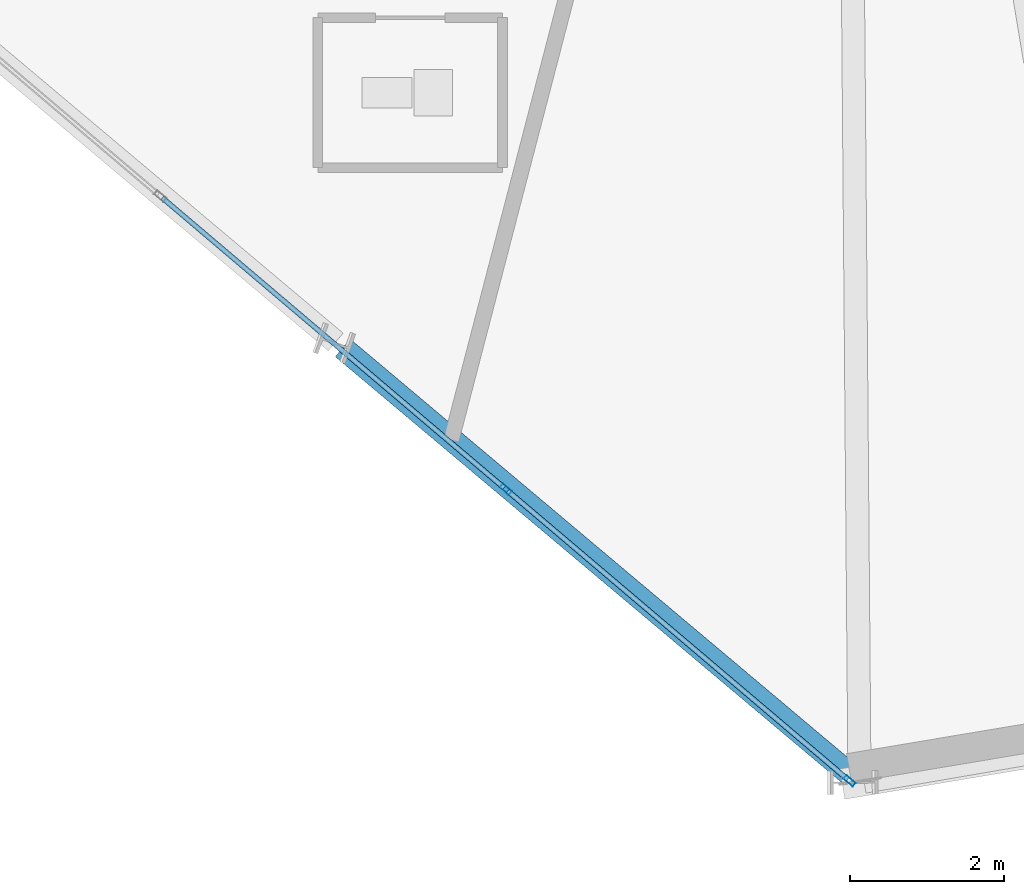
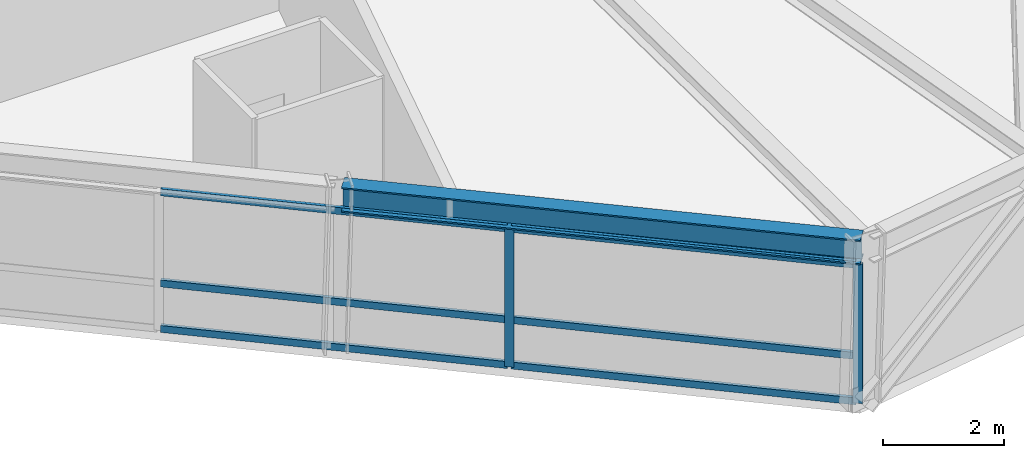
# One storey, part 3 of 15: 8 members, 1 beam, 1 element without a shape of its own.
"""IFC4 building model written with IfcOpenShell, lengths in metres."""

from ifc_helpers import new_model, si_unit, direction, frame, origin, origin_2d, place, context, subcontext, project, spatial, hollow_rectangle, i_section, extrude, source, transform, mapped, material, material_profile, profile_set, type_object, element, aggregate, save


model = new_model("IFC4")

# Units and contexts
model_context = context("Model", 3, precision=1e-05, world=origin(), true_north=direction((0.0, 1.0)))
body_context = subcontext(model_context, "Body", "Model", "MODEL_VIEW")
ifc_project = project(units=[si_unit("LENGTHUNIT", "METRE"), si_unit("AREAUNIT", "SQUARE_METRE"), si_unit("VOLUMEUNIT", "CUBIC_METRE"), si_unit("PLANEANGLEUNIT", "RADIAN"), si_unit("MASSUNIT", "GRAM", prefix="KILO")], contexts=[model_context])

# Site, building, storey
site_placement = place(None, origin())
site = spatial("IfcSite", under=ifc_project, at=site_placement, CompositionType="ELEMENT")
building_placement = place(site_placement, origin())
building = spatial("IfcBuilding", under=site, at=building_placement, Name="Olszyna Solenne Hotel", CompositionType="ELEMENT")
storey_placement = place(building_placement, frame((0.0, 0.0, 213.14990234375)))
storey = spatial("IfcBuildingStorey", under=building, at=storey_placement, Name="L56", CompositionType="ELEMENT", Elevation=213.14990234375)

# Beam
ifc_material_1 = material(Name="Steel S355J2", Category="steel")
ifc_material_profile_1 = material_profile(ifc_material_1, i_section(OverallWidth=0.300048828125, OverallDepth=0.5, WebThickness=0.014404296875, FlangeThickness=0.028076171875, at=origin_2d()), Name="HEB 500", Category="load-bearing")
ifc_profile_set_1 = profile_set([ifc_material_profile_1], Name="Steel S355J2")
beam_type = type_object("IfcBeamType", Name="BM-S3", PredefinedType="BEAM", material=ifc_profile_set_1)
shared_shape_1 = source(origin(), body_context, "Body", "SweptSolid", [
    extrude(i_section(OverallWidth=0.300048828125, OverallDepth=0.5, WebThickness=0.014404296875, FlangeThickness=0.028076171875, at=origin_2d()), origin(), (0.0, 0.0, 1.0), 8.718994140625),
])
beam_placement = place(storey_placement, frame((31.480712890625, 8.15380859375, 3.080078125), z_axis=(0.765342336812, -0.643623420552, 0.0), x_axis=(0.643623420552, 0.765342336812, 0.0)))
element("IfcBeam", 1, at=beam_placement, inside=storey, type_object=beam_type, Name="Perimeter spandrel beam BM-S3 B-L56-1657", PredefinedType="BEAM", context=body_context, shape_type="MappedRepresentation", body=[
    mapped(shared_shape_1, transform((0.0, 0.0, 0.0), x_axis=(1.0, 0.0, 0.0), y_axis=(0.0, 1.0, 0.0), z_axis=(0.0, 0.0, 1.0), scale=1.0)),
])

# Curtain wall, members
ifc_material_2 = material(Name="Anodised bronze aluminium", Category="aluminium")
curtain_wall_type = type_object("IfcCurtainWallType", Name="CW-SYS-4", PredefinedType="NOTDEFINED", material=ifc_material_2)
curtain_wall_placement = place(storey_placement, origin())
curtain_wall = element("IfcCurtainWall", 2, at=curtain_wall_placement, inside=storey, type_object=curtain_wall_type, Name="Unitised curtain wall CW-SYS-4 CW-L56-01", PredefinedType="NOTDEFINED")
ifc_material_profile_2 = material_profile(ifc_material_2, hollow_rectangle(XDim=0.06494140625, YDim=0.159912109375, WallThickness=0.00390625, at=origin_2d()), Name="MULL 160x65x4", Category="load-bearing")
ifc_profile_set_2 = profile_set([ifc_material_profile_2], Name="Anodised bronze aluminium")
member_type_1 = type_object("IfcMemberType", Name="CW-M3", PredefinedType="MULLION", material=ifc_profile_set_2)
shared_shape_2 = source(origin(), body_context, "Body", "SweptSolid", [
    extrude(hollow_rectangle(XDim=0.06494140625, YDim=0.159912109375, WallThickness=0.00390625, at=origin_2d()), origin(), (0.0, 0.0, 1.0), 2.822021484375),
])
member_1_placement = place(storey_placement, frame((33.601318359375, 6.31494140625, 0.0), z_axis=(0.0, 0.0, 1.0), x_axis=(0.646961302327, 0.762522834603, 0.0)))
member_1 = element("IfcMember", 3, at=member_1_placement, type_object=member_type_1, Name="Curtain-wall mullion CW-M3 CM-L56-01-03", PredefinedType="MULLION", context=body_context, shape_type="MappedRepresentation", body=[
    mapped(shared_shape_2, transform((0.0, 0.0, 0.0), x_axis=(1.0, 0.0, 0.0), y_axis=(0.0, 1.0, 0.0), z_axis=(0.0, 0.0, 1.0), scale=1.0)),
])
member_2_placement = place(storey_placement, frame((38.06982421875, 2.523681640625, 0.0), z_axis=(0.0, 0.0, 1.0), x_axis=(0.646961302327, 0.762522834603, 0.0)))
member_2 = element("IfcMember", 4, at=member_2_placement, type_object=member_type_1, Name="Curtain-wall mullion CW-M3 CM-L56-01-04", PredefinedType="MULLION", context=body_context, shape_type="MappedRepresentation", body=[
    mapped(shared_shape_2, transform((0.0, 0.0, 0.0), x_axis=(1.0, 0.0, 0.0), y_axis=(0.0, 1.0, 0.0), z_axis=(0.0, 0.0, 1.0), scale=1.0)),
])
ifc_material_profile_3 = material_profile(ifc_material_2, hollow_rectangle(XDim=0.06494140625, YDim=0.139892578125, WallThickness=0.00390625, at=origin_2d()), Name="TRAN 140x65x4", Category="load-bearing")
ifc_profile_set_3 = profile_set([ifc_material_profile_3], Name="Anodised bronze aluminium")
member_type_2 = type_object("IfcMemberType", Name="CW-T2", PredefinedType="USERDEFINED", material=ifc_profile_set_3)
shared_shape_3 = source(origin(), body_context, "Body", "SweptSolid", [
    extrude(hollow_rectangle(XDim=0.06494140625, YDim=0.139892578125, WallThickness=0.00390625, at=origin_2d()), origin(), (0.0, 0.0, 1.0), 5.795166015625),
])
member_3_placement = place(storey_placement, frame((33.6259765625, 6.2939453125, 0.03271484375), z_axis=(0.762521101191, -0.646963345359, 0.0), x_axis=(0.646963345359, 0.762521101191, 0.0)))
member_3 = element("IfcMember", 5, at=member_3_placement, type_object=member_type_2, Name="Curtain-wall transom CW-T2 CT-L56-01-07", ObjectType="TRANSOM", PredefinedType="USERDEFINED", context=body_context, shape_type="MappedRepresentation", body=[
    mapped(shared_shape_3, transform((0.0, 0.0, 0.0), x_axis=(1.0, 0.0, 0.0), y_axis=(0.0, 1.0, 0.0), z_axis=(0.0, 0.0, 1.0), scale=1.0)),
])
member_4_placement = place(storey_placement, frame((33.6259765625, 6.2939453125, 0.9501953125), z_axis=(0.762521101191, -0.646963345359, 0.0), x_axis=(0.646963345359, 0.762521101191, 0.0)))
member_4 = element("IfcMember", 6, at=member_4_placement, type_object=member_type_2, Name="Curtain-wall transom CW-T2 CT-L56-01-08", ObjectType="TRANSOM", PredefinedType="USERDEFINED", context=body_context, shape_type="MappedRepresentation", body=[
    mapped(shared_shape_3, transform((0.0, 0.0, 0.0), x_axis=(1.0, 0.0, 0.0), y_axis=(0.0, 1.0, 0.0), z_axis=(0.0, 0.0, 1.0), scale=1.0)),
])
member_5_placement = place(storey_placement, frame((33.6259765625, 6.2939453125, 2.78955078125), z_axis=(0.762521101191, -0.646963345359, 0.0), x_axis=(0.646963345359, 0.762521101191, 0.0)))
member_5 = element("IfcMember", 7, at=member_5_placement, type_object=member_type_2, Name="Curtain-wall transom CW-T2 CT-L56-01-09", ObjectType="TRANSOM", PredefinedType="USERDEFINED", context=body_context, shape_type="MappedRepresentation", body=[
    mapped(shared_shape_3, transform((0.0, 0.0, 0.0), x_axis=(1.0, 0.0, 0.0), y_axis=(0.0, 1.0, 0.0), z_axis=(0.0, 0.0, 1.0), scale=1.0)),
])
shared_shape_4 = source(origin(), body_context, "Body", "SweptSolid", [
    extrude(hollow_rectangle(XDim=0.06494140625, YDim=0.139892578125, WallThickness=0.00390625, at=origin_2d()), origin(), (0.0, 0.0, 1.0), 5.82763671875),
])
member_6_placement = place(storey_placement, frame((29.1328125, 10.106201171875, 0.03271484375), z_axis=(0.762514771925, -0.646970805057, 0.0), x_axis=(0.646970805057, 0.762514771925, 0.0)))
member_6 = element("IfcMember", 8, at=member_6_placement, type_object=member_type_2, Name="Curtain-wall transom CW-T2 CT-L56-01-04", ObjectType="TRANSOM", PredefinedType="USERDEFINED", context=body_context, shape_type="MappedRepresentation", body=[
    mapped(shared_shape_4, transform((0.0, 0.0, 0.0), x_axis=(1.0, 0.0, 0.0), y_axis=(0.0, 1.0, 0.0), z_axis=(0.0, 0.0, 1.0), scale=1.0)),
])
member_7_placement = place(storey_placement, frame((29.1328125, 10.106201171875, 0.9501953125), z_axis=(0.762514771925, -0.646970805057, 0.0), x_axis=(0.646970805057, 0.762514771925, 0.0)))
member_7 = element("IfcMember", 9, at=member_7_placement, type_object=member_type_2, Name="Curtain-wall transom CW-T2 CT-L56-01-05", ObjectType="TRANSOM", PredefinedType="USERDEFINED", context=body_context, shape_type="MappedRepresentation", body=[
    mapped(shared_shape_4, transform((0.0, 0.0, 0.0), x_axis=(1.0, 0.0, 0.0), y_axis=(0.0, 1.0, 0.0), z_axis=(0.0, 0.0, 1.0), scale=1.0)),
])
member_8_placement = place(storey_placement, frame((29.1328125, 10.106201171875, 2.78955078125), z_axis=(0.762514771925, -0.646970805057, 0.0), x_axis=(0.646970805057, 0.762514771925, 0.0)))
member_8 = element("IfcMember", 10, at=member_8_placement, type_object=member_type_2, Name="Curtain-wall transom CW-T2 CT-L56-01-06", ObjectType="TRANSOM", PredefinedType="USERDEFINED", context=body_context, shape_type="MappedRepresentation", body=[
    mapped(shared_shape_4, transform((0.0, 0.0, 0.0), x_axis=(1.0, 0.0, 0.0), y_axis=(0.0, 1.0, 0.0), z_axis=(0.0, 0.0, 1.0), scale=1.0)),
])
aggregate(curtain_wall, [member_1, member_2, member_6, member_7, member_8, member_3, member_4, member_5])

save(model, "model.ifc")
